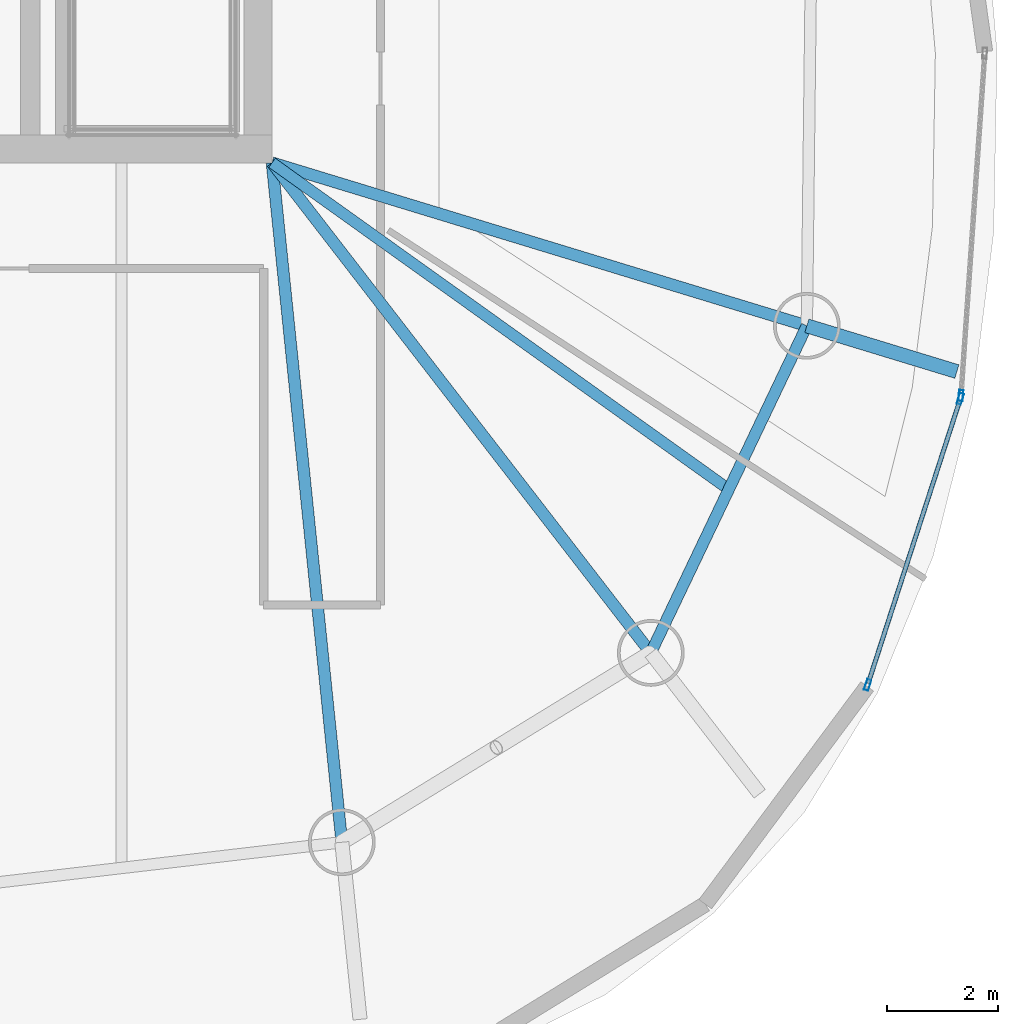
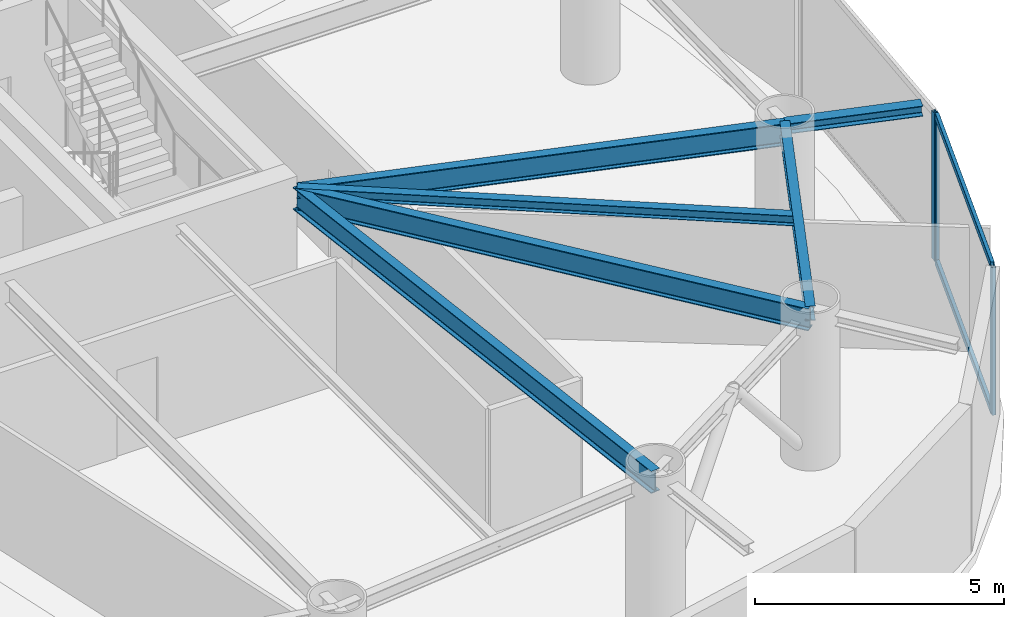
# One storey, part 8 of 22: 6 beams, 5 members, 2 elements without a shape of their own.
"""IFC4 building model written with IfcOpenShell, lengths in metres."""

from ifc_helpers import new_model, si_unit, direction, frame, origin, origin_2d, place, context, subcontext, project, spatial, hollow_rectangle, i_section, extrude, material, layer, layer_set, material_profile, profile_set, type_object, element, aggregate, save


model = new_model("IFC4")

# Units and contexts
model_context = context("Model", 3, precision=1e-05, world=origin(), true_north=direction((0.0, 1.0)))
body_context = subcontext(model_context, "Body", "Model", "MODEL_VIEW")
ifc_project = project(units=[si_unit("LENGTHUNIT", "METRE"), si_unit("AREAUNIT", "SQUARE_METRE"), si_unit("VOLUMEUNIT", "CUBIC_METRE"), si_unit("PLANEANGLEUNIT", "RADIAN"), si_unit("MASSUNIT", "GRAM", prefix="KILO")], contexts=[model_context])

# Site, building, storey
site_placement = place(None, origin())
site = spatial("IfcSite", under=ifc_project, at=site_placement, CompositionType="ELEMENT")
building_placement = place(site_placement, origin())
building = spatial("IfcBuilding", under=site, at=building_placement, Name="Bramvorn Convention Spire", CompositionType="ELEMENT")
storey_placement = place(building_placement, frame((0.0, 0.0, 221.25)))
storey = spatial("IfcBuildingStorey", under=building, at=storey_placement, Name="L56", CompositionType="ELEMENT", Elevation=221.25)

# Beams
ifc_material_1 = material(Name="Steel CSA G40.21 Grade 350 (350W)", Category="steel")
ifc_material_profile_1 = material_profile(ifc_material_1, i_section(OverallWidth=0.201904296875, OverallDepth=0.2470703125, WebThickness=0.00732421875, FlangeThickness=0.010986328125, FilletRadius=0.011962890625, at=origin_2d()))
ifc_profile_set_1 = profile_set([ifc_material_profile_1], Name="Steel CSA G40.21 Grade 350 (350W) - W250X49")
beam_type_1 = type_object("IfcBeamType", Name="BM-W250X49", PredefinedType="JOIST", material=ifc_profile_set_1)
beam_1_placement = place(storey_placement, frame((49.25, 18.550048828125, 3.49658203125), z_axis=(0.813471895271, -0.581604225916, 0.0), x_axis=(0.581604225916, 0.813471895271, 0.0)))
element("IfcBeam", 1, at=beam_1_placement, inside=storey, type_object=beam_type_1, Name="L56 composite floor joist 01", PredefinedType="JOIST", context=body_context, shape_type="SweptSolid", body=[
    extrude(i_section(OverallWidth=0.201904296875, OverallDepth=0.2470703125, WebThickness=0.00732421875, FlangeThickness=0.010986328125, FilletRadius=0.011962890625, at=origin_2d()), origin(), (0.0, 0.0, 1.0), 10.093505859375),
])
ifc_material_profile_2 = material_profile(ifc_material_1, i_section(OverallWidth=0.25390625, OverallDepth=0.2529296875, WebThickness=0.008544921875, FlangeThickness=0.01416015625, FilletRadius=0.011962890625, at=origin_2d()))
ifc_profile_set_2 = profile_set([ifc_material_profile_2], Name="Steel CSA G40.21 Grade 350 (350W) - W250X73")
beam_type_2 = type_object("IfcBeamType", Name="BM-W250X73", PredefinedType="BEAM", material=ifc_profile_set_2)
beam_2_placement = place(storey_placement, frame((58.863037109375, 15.619384765625, 3.493408203125), z_axis=(0.956563711418, -0.291523354122, 0.0), x_axis=(0.291523354122, 0.956563711418, 0.0)))
element("IfcBeam", 2, at=beam_2_placement, inside=storey, type_object=beam_type_2, Name="L56 slab-edge cantilever tip beam MC02", PredefinedType="BEAM", context=body_context, shape_type="SweptSolid", body=[
    extrude(i_section(OverallWidth=0.25390625, OverallDepth=0.2529296875, WebThickness=0.008544921875, FlangeThickness=0.01416015625, FilletRadius=0.011962890625, at=origin_2d()), origin(), (0.0, 0.0, 1.0), 2.81982421875),
])
ifc_material_profile_3 = material_profile(ifc_material_1, i_section(OverallWidth=0.205078125, OverallDepth=0.35400390625, WebThickness=0.009521484375, FlangeThickness=0.016845703125, FilletRadius=0.014892578125, at=origin_2d()))
ifc_profile_set_3 = profile_set([ifc_material_profile_3], Name="Steel CSA G40.21 Grade 350 (350W) - W360X79")
beam_type_3 = type_object("IfcBeamType", Name="BM-W360X79", PredefinedType="JOIST", material=ifc_profile_set_3)
beam_3_placement = place(storey_placement, frame((56.058349609375, 9.739990234375, 3.443115234375), z_axis=(0.430556138422, 0.902563799223, 0.0), x_axis=(-0.902563799223, 0.430556138422, 0.0)))
element("IfcBeam", 3, at=beam_3_placement, inside=storey, type_object=beam_type_3, Name="L56 mega-column ring beam 01", PredefinedType="JOIST", context=body_context, shape_type="SweptSolid", body=[
    extrude(i_section(OverallWidth=0.205078125, OverallDepth=0.35400390625, WebThickness=0.009521484375, FlangeThickness=0.016845703125, FilletRadius=0.014892578125, at=origin_2d()), origin(), (0.0, 0.0, 1.0), 6.51416015625),
])
ifc_material_profile_4 = material_profile(ifc_material_1, i_section(OverallWidth=0.2119140625, OverallDepth=0.5439453125, WebThickness=0.01318359375, FlangeThickness=0.021240234375, FilletRadius=0.01904296875, at=origin_2d()))
ifc_profile_set_4 = profile_set([ifc_material_profile_4], Name="Steel CSA G40.21 Grade 350 (350W) - W530X123")
beam_type_4 = type_object("IfcBeamType", Name="BM-W530X123", PredefinedType="BEAM", material=ifc_profile_set_4)
beam_4_placement = place(storey_placement, frame((49.25, 18.550048828125, 3.347900390625), z_axis=(0.611479951477, -0.791259925019, 0.0), x_axis=(0.791259925019, 0.611479951477, 0.0)))
element("IfcBeam", 4, at=beam_4_placement, inside=storey, type_object=beam_type_4, Name="L56 radial floor girder MC01", PredefinedType="BEAM", context=body_context, shape_type="SweptSolid", body=[
    extrude(i_section(OverallWidth=0.2119140625, OverallDepth=0.5439453125, WebThickness=0.01318359375, FlangeThickness=0.021240234375, FilletRadius=0.01904296875, at=origin_2d()), origin(), (0.0, 0.0, 1.0), 11.13427734375),
])
beam_5_placement = place(storey_placement, frame((49.25, 18.550048828125, 3.347900390625), z_axis=(0.95653637984, -0.291613021044, 0.0), x_axis=(0.291613021044, 0.95653637984, 0.0)))
element("IfcBeam", 5, at=beam_5_placement, inside=storey, type_object=beam_type_4, Name="L56 radial floor girder MC02", PredefinedType="BEAM", context=body_context, shape_type="SweptSolid", body=[
    extrude(i_section(OverallWidth=0.2119140625, OverallDepth=0.5439453125, WebThickness=0.01318359375, FlangeThickness=0.021240234375, FilletRadius=0.01904296875, at=origin_2d()), origin(), (0.0, 0.0, 1.0), 10.0498046875),
])
beam_6_placement = place(storey_placement, frame((49.25, 18.550048828125, 3.347900390625), z_axis=(0.10216509146, -0.994767457292, 0.0), x_axis=(0.994767457292, 0.10216509146, 0.0)))
element("IfcBeam", 6, at=beam_6_placement, inside=storey, type_object=beam_type_4, Name="L56 radial floor girder MC16", PredefinedType="BEAM", context=body_context, shape_type="SweptSolid", body=[
    extrude(i_section(OverallWidth=0.2119140625, OverallDepth=0.5439453125, WebThickness=0.01318359375, FlangeThickness=0.021240234375, FilletRadius=0.01904296875, at=origin_2d()), origin(), (0.0, 0.0, 1.0), 12.278076171875),
])

# Curtain wall, members
ifc_material_2 = material(Name="Anodised Bronze Unitised Curtain Wall", Category="aluminium")
ifc_layer = layer(ifc_material_2, 0.179931640625)
ifc_layer_set = layer_set([ifc_layer], Name="Anodised Bronze Unitised Curtain Wall - CW-OFF-FRIT")
curtain_wall_type = type_object("IfcCurtainWallType", Name="CW-OFF-FRIT", PredefinedType="USERDEFINED", material=ifc_layer_set)
curtain_wall_1_placement = place(storey_placement, origin())
curtain_wall_1 = element("IfcCurtainWall", 7, at=curtain_wall_1_placement, inside=storey, type_object=curtain_wall_type, Name="L56 fritted glass curtain wall 02", ObjectType="UNITISED CURTAIN WALL", PredefinedType="USERDEFINED")
ifc_material_3 = material(Name="Anodised Bronze Aluminium 6063-T6", Category="aluminium")
ifc_material_profile_5 = material_profile(ifc_material_3, hollow_rectangle(XDim=0.080078125, YDim=0.199951171875, WallThickness=0.00390625, InnerFilletRadius=0.0009765625, OuterFilletRadius=0.00390625, at=origin_2d()))
ifc_profile_set_5 = profile_set([ifc_material_profile_5], Name="Anodised Bronze Aluminium 6063-T6 - CWM80X200")
member_type_1 = type_object("IfcMemberType", Name="CW-MUL-180", PredefinedType="MULLION", material=ifc_profile_set_5)
member_1_placement = place(storey_placement, frame((61.622314453125, 14.306640625, 0.0), z_axis=(0.0, 0.0, 1.0), x_axis=(0.951349736038, -0.308113095698, 0.0)))
member_1 = element("IfcMember", 8, at=member_1_placement, type_object=member_type_1, Name="CW3 mullion 1", PredefinedType="MULLION", context=body_context, shape_type="SweptSolid", body=[
    extrude(hollow_rectangle(XDim=0.080078125, YDim=0.199951171875, WallThickness=0.00390625, InnerFilletRadius=0.0009765625, OuterFilletRadius=0.00390625, at=origin_2d()), origin(), (0.0, 0.0, 1.0), 3.6201171875),
])
member_2_placement = place(storey_placement, frame((59.95703125, 9.1650390625, 0.0), z_axis=(0.0, 0.0, 1.0), x_axis=(0.951349736038, -0.308113095698, 0.0)))
member_2 = element("IfcMember", 9, at=member_2_placement, type_object=member_type_1, Name="CW3 mullion 2", PredefinedType="MULLION", context=body_context, shape_type="SweptSolid", body=[
    extrude(hollow_rectangle(XDim=0.080078125, YDim=0.199951171875, WallThickness=0.00390625, InnerFilletRadius=0.0009765625, OuterFilletRadius=0.00390625, at=origin_2d()), origin(), (0.0, 0.0, 1.0), 3.6201171875),
])

# Curtain wall, member
curtain_wall_2_placement = place(storey_placement, origin())
curtain_wall_2 = element("IfcCurtainWall", 10, at=curtain_wall_2_placement, inside=storey, type_object=curtain_wall_type, Name="L56 fritted glass curtain wall 03", ObjectType="UNITISED CURTAIN WALL", PredefinedType="USERDEFINED")
member_3_placement = place(storey_placement, frame((61.633544921875, 14.365234375, 0.0), z_axis=(0.0, 0.0, 1.0), x_axis=(0.99758898077, -0.06939903058, 0.0)))
member_3 = element("IfcMember", 11, at=member_3_placement, type_object=member_type_1, Name="CW3 mullion 2", PredefinedType="MULLION", context=body_context, shape_type="SweptSolid", body=[
    extrude(hollow_rectangle(XDim=0.080078125, YDim=0.199951171875, WallThickness=0.00390625, InnerFilletRadius=0.0009765625, OuterFilletRadius=0.00390625, at=origin_2d()), origin(), (0.0, 0.0, 1.0), 3.6201171875),
])
aggregate(curtain_wall_2, [member_3])

# Member
ifc_material_profile_6 = material_profile(ifc_material_3, hollow_rectangle(XDim=0.080078125, YDim=0.159912109375, WallThickness=0.00390625, InnerFilletRadius=0.0009765625, OuterFilletRadius=0.00390625, at=origin_2d()))
ifc_profile_set_6 = profile_set([ifc_material_profile_6], Name="Anodised Bronze Aluminium 6063-T6 - CWT80X160")
member_type_2 = type_object("IfcMemberType", Name="CW-TRN-150", PredefinedType="USERDEFINED", material=ifc_profile_set_6)
member_4_placement = place(storey_placement, frame((61.613037109375, 14.2783203125, 0.030029296875), z_axis=(-0.308103644994, -0.95135279678, 0.0), x_axis=(0.95135279678, -0.308103644994, 0.0)))
member_4 = element("IfcMember", 12, at=member_4_placement, type_object=member_type_2, Name="CW3 transom 1.1", ObjectType="TRANSOM", PredefinedType="USERDEFINED", context=body_context, shape_type="SweptSolid", body=[
    extrude(hollow_rectangle(XDim=0.080078125, YDim=0.159912109375, WallThickness=0.00390625, InnerFilletRadius=0.0009765625, OuterFilletRadius=0.00390625, at=origin_2d()), origin(), (0.0, 0.0, 1.0), 5.3447265625),
])

member_5_placement = place(storey_placement, frame((61.613037109375, 14.2783203125, 3.590087890625), z_axis=(-0.308103644994, -0.95135279678, 0.0), x_axis=(0.95135279678, -0.308103644994, 0.0)))
member_5 = element("IfcMember", 13, at=member_5_placement, type_object=member_type_2, Name="CW3 transom 1.2", ObjectType="TRANSOM", PredefinedType="USERDEFINED", context=body_context, shape_type="SweptSolid", body=[
    extrude(hollow_rectangle(XDim=0.080078125, YDim=0.159912109375, WallThickness=0.00390625, InnerFilletRadius=0.0009765625, OuterFilletRadius=0.00390625, at=origin_2d()), origin(), (0.0, 0.0, 1.0), 5.3447265625),
])

aggregate(curtain_wall_1, [member_1, member_2, member_4, member_5])

save(model, "model.ifc")
